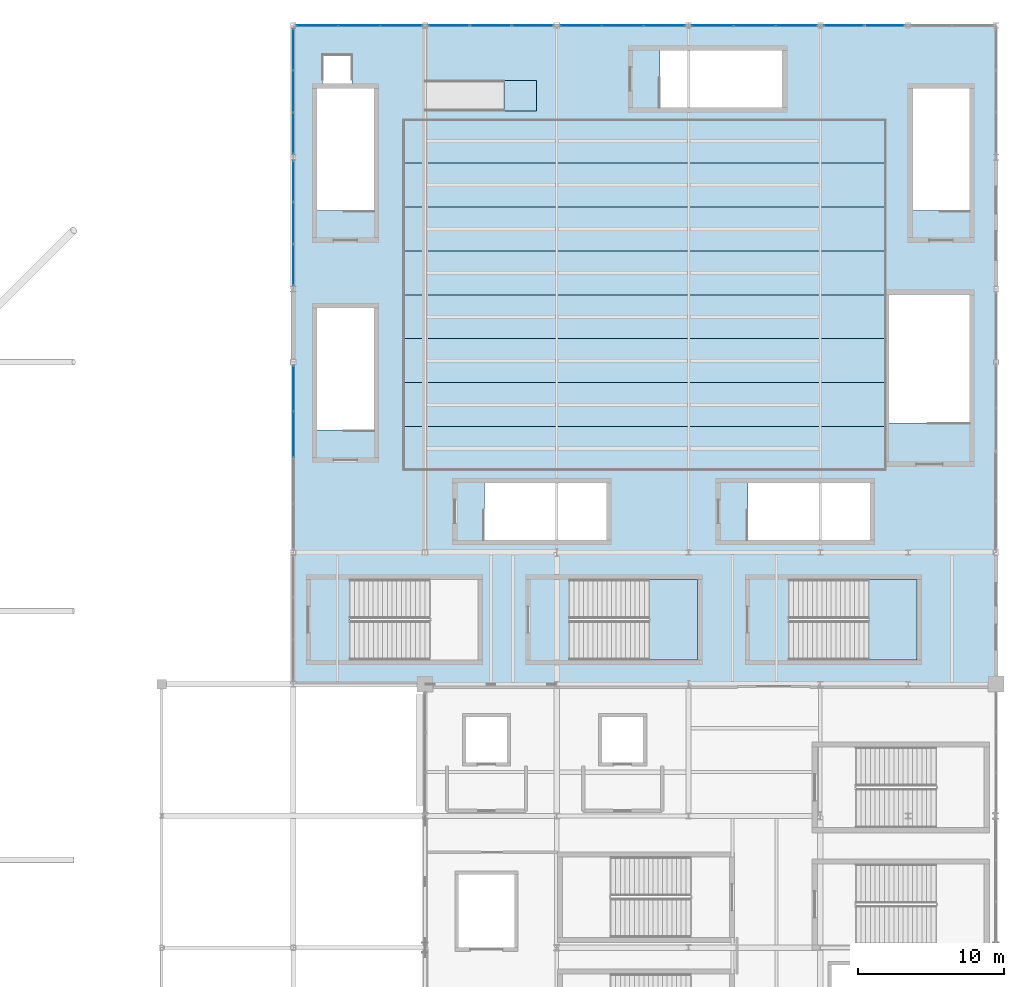
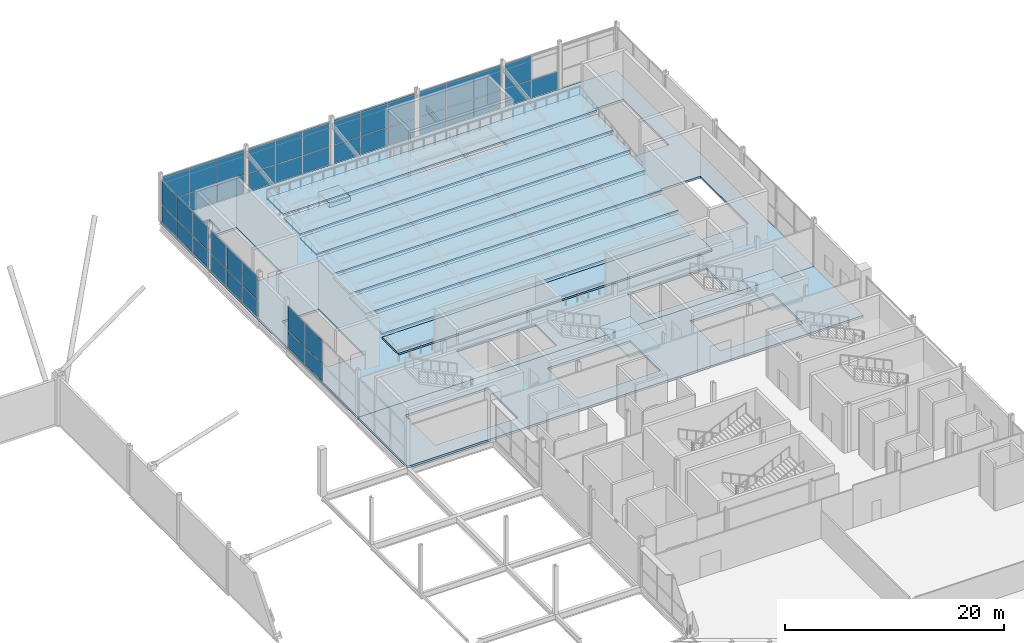
# One storey, part 80 of 119: 43 plates, 13 slabs, 11 elements without a shape of their own.
"""IFC4 building model written with IfcOpenShell, lengths in metres."""

from ifc_helpers import new_model, si_unit, direction, frame, origin, origin_2d, place, context, subcontext, project, spatial, polyline, rectangle, outline, extrude, material, layer, layer_set, type_object, element, aggregate, save


model = new_model("IFC4")

# Units and contexts
model_context = context("Model", 3, precision=1e-05, world=origin(), true_north=direction((0.0, 1.0)))
body_context = subcontext(model_context, "Body", "Model", "MODEL_VIEW")
ifc_project = project(units=[si_unit("LENGTHUNIT", "METRE"), si_unit("AREAUNIT", "SQUARE_METRE"), si_unit("VOLUMEUNIT", "CUBIC_METRE"), si_unit("PLANEANGLEUNIT", "RADIAN"), si_unit("MASSUNIT", "GRAM", prefix="KILO")], contexts=[model_context])

# Site, building, storey
site_placement = place(None, origin())
site = spatial("IfcSite", under=ifc_project, at=site_placement, CompositionType="ELEMENT")
building_placement = place(site_placement, origin())
building = spatial("IfcBuilding", under=site, at=building_placement, Name="Qamarlyn Nura Convention Centre", CompositionType="ELEMENT")
storey_placement = place(building_placement, frame((0.0, 0.0, 5.39990234375)))
storey = spatial("IfcBuildingStorey", under=building, at=storey_placement, Name="L01", CompositionType="ELEMENT", Elevation=5.39990234375)

# Curtain wall, plates
ifc_material_1 = material(Name="Double-silver low-E insulated glass", Category="glass")
ifc_layer_1 = layer(ifc_material_1, 0.179931640625, Name="CW-UNIT-85")
ifc_layer_set_1 = layer_set([ifc_layer_1], Name="Double-silver low-E insulated glass")
curtain_wall_type_1 = type_object("IfcCurtainWallType", Name="CW-UNIT-85", PredefinedType="NOTDEFINED", material=ifc_layer_set_1)
curtain_wall_1_placement = place(storey_placement, origin())
curtain_wall_1 = element("IfcCurtainWall", 1, at=curtain_wall_1_placement, inside=storey, type_object=curtain_wall_type_1, Name="L01 unitised curtain wall PLW-108-1", PredefinedType="NOTDEFINED")
ifc_layer_2 = layer(ifc_material_1, 0.028076171875, Name="CWP-VIS-28")
ifc_layer_set_2 = layer_set([ifc_layer_2], Name="Double-silver low-E insulated glass")
plate_type_1 = type_object("IfcPlateType", Name="CWP-VIS-28", PredefinedType="CURTAIN_PANEL", material=ifc_layer_set_2)
plate_1_placement = place(storey_placement, frame((144.0, 109.650146484375, 0.070068359375), z_axis=(0.0, 0.0, 1.0), x_axis=(0.0, 1.0, 0.0)))
plate_1 = element("IfcPlate", 2, at=plate_1_placement, type_object=plate_type_1, Name="CW85 panel 1.1", PredefinedType="CURTAIN_PANEL", context=body_context, shape_type="SweptSolid", body=[
    extrude(rectangle(XDim=2.767578125, YDim=0.028076171875, at=origin_2d()), origin(), (0.0, 0.0, 1.0), 1.83203125),
])
plate_2_placement = place(storey_placement, frame((144.0, 109.650146484375, 1.97216796875), z_axis=(0.0, 0.0, 1.0), x_axis=(0.0, 1.0, 0.0)))
plate_2 = element("IfcPlate", 3, at=plate_2_placement, type_object=plate_type_1, Name="CW85 panel 1.2", PredefinedType="CURTAIN_PANEL", context=body_context, shape_type="SweptSolid", body=[
    extrude(rectangle(XDim=2.767578125, YDim=0.028076171875, at=origin_2d()), origin(), (0.0, 0.0, 1.0), 2.570068359375),
])
plate_3_placement = place(storey_placement, frame((144.0, 112.50537109375, 0.070068359375), z_axis=(0.0, 0.0, 1.0), x_axis=(0.0, 1.0, 0.0)))
plate_3 = element("IfcPlate", 4, at=plate_3_placement, type_object=plate_type_1, Name="CW85 panel 2.1", PredefinedType="CURTAIN_PANEL", context=body_context, shape_type="SweptSolid", body=[
    extrude(rectangle(XDim=2.802490234375, YDim=0.028076171875, at=origin_2d()), origin(), (0.0, 0.0, 1.0), 1.83203125),
])
plate_4_placement = place(storey_placement, frame((144.0, 112.50537109375, 1.97216796875), z_axis=(0.0, 0.0, 1.0), x_axis=(0.0, 1.0, 0.0)))
plate_4 = element("IfcPlate", 5, at=plate_4_placement, type_object=plate_type_1, Name="CW85 panel 2.2", PredefinedType="CURTAIN_PANEL", context=body_context, shape_type="SweptSolid", body=[
    extrude(rectangle(XDim=2.802490234375, YDim=0.028076171875, at=origin_2d()), origin(), (0.0, 0.0, 1.0), 2.570068359375),
])
plate_5_placement = place(storey_placement, frame((144.0, 115.3603515625, 0.070068359375), z_axis=(0.0, 0.0, 1.0), x_axis=(0.0, 1.0, 0.0)))
plate_5 = element("IfcPlate", 6, at=plate_5_placement, type_object=plate_type_1, Name="CW85 panel 3.1", PredefinedType="CURTAIN_PANEL", context=body_context, shape_type="SweptSolid", body=[
    extrude(rectangle(XDim=2.767578125, YDim=0.028076171875, at=origin_2d()), origin(), (0.0, 0.0, 1.0), 1.83203125),
])
plate_6_placement = place(storey_placement, frame((144.0, 115.3603515625, 1.97216796875), z_axis=(0.0, 0.0, 1.0), x_axis=(0.0, 1.0, 0.0)))
plate_6 = element("IfcPlate", 7, at=plate_6_placement, type_object=plate_type_1, Name="CW85 panel 3.2", PredefinedType="CURTAIN_PANEL", context=body_context, shape_type="SweptSolid", body=[
    extrude(rectangle(XDim=2.767578125, YDim=0.028076171875, at=origin_2d()), origin(), (0.0, 0.0, 1.0), 2.570068359375),
])
aggregate(curtain_wall_1, [plate_1, plate_2, plate_3, plate_4, plate_5, plate_6])

ifc_layer_3 = layer(ifc_material_1, 0.179931640625, Name="CW-UNIT-86")
ifc_layer_set_3 = layer_set([ifc_layer_3], Name="Double-silver low-E insulated glass")
curtain_wall_type_2 = type_object("IfcCurtainWallType", Name="CW-UNIT-86", PredefinedType="NOTDEFINED", material=ifc_layer_set_3)
curtain_wall_2_placement = place(storey_placement, origin())
curtain_wall_2 = element("IfcCurtainWall", 8, at=curtain_wall_2_placement, inside=storey, type_object=curtain_wall_type_2, Name="L01 unitised curtain wall PLW-117-1", PredefinedType="NOTDEFINED")
plate_7_placement = place(storey_placement, frame((144.0, 118.64208984375, 0.065185546875), z_axis=(0.0, 0.0, 1.0), x_axis=(0.0, 1.0, 0.0)))
plate_7 = element("IfcPlate", 9, at=plate_7_placement, type_object=plate_type_1, Name="CW86 panel 1.1", PredefinedType="CURTAIN_PANEL", context=body_context, shape_type="SweptSolid", body=[
    extrude(rectangle(XDim=2.7822265625, YDim=0.028076171875, at=origin_2d()), origin(), (0.0, 0.0, 1.0), 1.87255859375),
])
plate_8_placement = place(storey_placement, frame((144.0, 118.64208984375, 2.002685546875), z_axis=(0.0, 0.0, 1.0), x_axis=(0.0, 1.0, 0.0)))
plate_8 = element("IfcPlate", 10, at=plate_8_placement, type_object=plate_type_1, Name="CW86 panel 1.2", PredefinedType="CURTAIN_PANEL", context=body_context, shape_type="SweptSolid", body=[
    extrude(rectangle(XDim=2.7822265625, YDim=0.028076171875, at=origin_2d()), origin(), (0.0, 0.0, 1.0), 2.62255859375),
])
plate_9_placement = place(storey_placement, frame((144.0, 121.505615234375, 0.065185546875), z_axis=(0.0, 0.0, 1.0), x_axis=(0.0, 1.0, 0.0)))
plate_9 = element("IfcPlate", 11, at=plate_9_placement, type_object=plate_type_1, Name="CW86 panel 2.1", PredefinedType="CURTAIN_PANEL", context=body_context, shape_type="SweptSolid", body=[
    extrude(rectangle(XDim=2.814697265625, YDim=0.028076171875, at=origin_2d()), origin(), (0.0, 0.0, 1.0), 1.87255859375),
])
plate_10_placement = place(storey_placement, frame((144.0, 121.505615234375, 2.002685546875), z_axis=(0.0, 0.0, 1.0), x_axis=(0.0, 1.0, 0.0)))
plate_10 = element("IfcPlate", 12, at=plate_10_placement, type_object=plate_type_1, Name="CW86 panel 2.2", PredefinedType="CURTAIN_PANEL", context=body_context, shape_type="SweptSolid", body=[
    extrude(rectangle(XDim=2.814697265625, YDim=0.028076171875, at=origin_2d()), origin(), (0.0, 0.0, 1.0), 2.62255859375),
])
plate_11_placement = place(storey_placement, frame((144.0, 124.368896484375, 0.065185546875), z_axis=(0.0, 0.0, 1.0), x_axis=(0.0, 1.0, 0.0)))
plate_11 = element("IfcPlate", 13, at=plate_11_placement, type_object=plate_type_1, Name="CW86 panel 3.1", PredefinedType="CURTAIN_PANEL", context=body_context, shape_type="SweptSolid", body=[
    extrude(rectangle(XDim=2.7822265625, YDim=0.028076171875, at=origin_2d()), origin(), (0.0, 0.0, 1.0), 1.87255859375),
])
plate_12_placement = place(storey_placement, frame((144.0, 124.368896484375, 2.002685546875), z_axis=(0.0, 0.0, 1.0), x_axis=(0.0, 1.0, 0.0)))
plate_12 = element("IfcPlate", 14, at=plate_12_placement, type_object=plate_type_1, Name="CW86 panel 3.2", PredefinedType="CURTAIN_PANEL", context=body_context, shape_type="SweptSolid", body=[
    extrude(rectangle(XDim=2.7822265625, YDim=0.028076171875, at=origin_2d()), origin(), (0.0, 0.0, 1.0), 2.62255859375),
])
aggregate(curtain_wall_2, [plate_7, plate_8, plate_9, plate_10, plate_11, plate_12])

ifc_layer_4 = layer(ifc_material_1, 0.179931640625, Name="CW-UNIT-87")
ifc_layer_set_4 = layer_set([ifc_layer_4], Name="Double-silver low-E insulated glass")
curtain_wall_type_3 = type_object("IfcCurtainWallType", Name="CW-UNIT-87", PredefinedType="NOTDEFINED", material=ifc_layer_set_4)
curtain_wall_3_placement = place(storey_placement, origin())
curtain_wall_3 = element("IfcCurtainWall", 15, at=curtain_wall_3_placement, inside=storey, type_object=curtain_wall_type_3, Name="L01 unitised curtain wall PLN-N1-1", PredefinedType="NOTDEFINED")
plate_13_placement = place(storey_placement, frame((145.631591796875, 126.0, 0.06005859375), z_axis=(0.0, 0.0, 1.0), x_axis=(1.0, 0.0, 0.0)))
plate_13 = element("IfcPlate", 16, at=plate_13_placement, type_object=plate_type_1, Name="CW87 panel 1.1", PredefinedType="CURTAIN_PANEL", context=body_context, shape_type="SweptSolid", body=[
    extrude(rectangle(XDim=2.793212890625, YDim=0.028076171875, at=origin_2d()), origin(), (0.0, 0.0, 1.0), 1.971923828125),
])
plate_14_placement = place(storey_placement, frame((145.631591796875, 126.0, 2.09228515625), z_axis=(0.0, 0.0, 1.0), x_axis=(1.0, 0.0, 0.0)))
plate_14 = element("IfcPlate", 17, at=plate_14_placement, type_object=plate_type_1, Name="CW87 panel 1.2", PredefinedType="CURTAIN_PANEL", context=body_context, shape_type="SweptSolid", body=[
    extrude(rectangle(XDim=2.793212890625, YDim=0.028076171875, at=origin_2d()), origin(), (0.0, 0.0, 1.0), 2.758056640625),
])
plate_15_placement = place(storey_placement, frame((148.5, 126.0, 0.06005859375), z_axis=(0.0, 0.0, 1.0), x_axis=(1.0, 0.0, 0.0)))
plate_15 = element("IfcPlate", 18, at=plate_15_placement, type_object=plate_type_1, Name="CW87 panel 2.1", PredefinedType="CURTAIN_PANEL", context=body_context, shape_type="SweptSolid", body=[
    extrude(rectangle(XDim=2.8232421875, YDim=0.028076171875, at=origin_2d()), origin(), (0.0, 0.0, 1.0), 1.971923828125),
])
plate_16_placement = place(storey_placement, frame((148.5, 126.0, 2.09228515625), z_axis=(0.0, 0.0, 1.0), x_axis=(1.0, 0.0, 0.0)))
plate_16 = element("IfcPlate", 19, at=plate_16_placement, type_object=plate_type_1, Name="CW87 panel 2.2", PredefinedType="CURTAIN_PANEL", context=body_context, shape_type="SweptSolid", body=[
    extrude(rectangle(XDim=2.8232421875, YDim=0.028076171875, at=origin_2d()), origin(), (0.0, 0.0, 1.0), 2.758056640625),
])
plate_17_placement = place(storey_placement, frame((151.368408203125, 126.0, 0.06005859375), z_axis=(0.0, 0.0, 1.0), x_axis=(1.0, 0.0, 0.0)))
plate_17 = element("IfcPlate", 20, at=plate_17_placement, type_object=plate_type_1, Name="CW87 panel 3.1", PredefinedType="CURTAIN_PANEL", context=body_context, shape_type="SweptSolid", body=[
    extrude(rectangle(XDim=2.793212890625, YDim=0.028076171875, at=origin_2d()), origin(), (0.0, 0.0, 1.0), 1.971923828125),
])
plate_18_placement = place(storey_placement, frame((151.368408203125, 126.0, 2.09228515625), z_axis=(0.0, 0.0, 1.0), x_axis=(1.0, 0.0, 0.0)))
plate_18 = element("IfcPlate", 21, at=plate_18_placement, type_object=plate_type_1, Name="CW87 panel 3.2", PredefinedType="CURTAIN_PANEL", context=body_context, shape_type="SweptSolid", body=[
    extrude(rectangle(XDim=2.793212890625, YDim=0.028076171875, at=origin_2d()), origin(), (0.0, 0.0, 1.0), 2.758056640625),
])
aggregate(curtain_wall_3, [plate_13, plate_14, plate_15, plate_16, plate_17, plate_18])

ifc_layer_5 = layer(ifc_material_1, 0.179931640625, Name="CW-UNIT-88")
ifc_layer_set_5 = layer_set([ifc_layer_5], Name="Double-silver low-E insulated glass")
curtain_wall_type_4 = type_object("IfcCurtainWallType", Name="CW-UNIT-88", PredefinedType="NOTDEFINED", material=ifc_layer_set_5)
curtain_wall_4_placement = place(storey_placement, origin())
curtain_wall_4 = element("IfcCurtainWall", 22, at=curtain_wall_4_placement, inside=storey, type_object=curtain_wall_type_4, Name="L01 unitised curtain wall PLN-N3-1", PredefinedType="NOTDEFINED")
plate_19_placement = place(storey_placement, frame((163.649658203125, 126.0, 0.06494140625), z_axis=(0.0, 0.0, 1.0), x_axis=(1.0, 0.0, 0.0)))
plate_19 = element("IfcPlate", 23, at=plate_19_placement, type_object=plate_type_1, Name="CW88 panel 1.1", PredefinedType="CURTAIN_PANEL", context=body_context, shape_type="SweptSolid", body=[
    extrude(rectangle(XDim=2.769287109375, YDim=0.028076171875, at=origin_2d()), origin(), (0.0, 0.0, 1.0), 1.964599609375),
])
plate_20_placement = place(storey_placement, frame((163.649658203125, 126.0, 2.094482421875), z_axis=(0.0, 0.0, 1.0), x_axis=(1.0, 0.0, 0.0)))
plate_20 = element("IfcPlate", 24, at=plate_20_placement, type_object=plate_type_1, Name="CW88 panel 1.2", PredefinedType="CURTAIN_PANEL", context=body_context, shape_type="SweptSolid", body=[
    extrude(rectangle(XDim=2.769287109375, YDim=0.028076171875, at=origin_2d()), origin(), (0.0, 0.0, 1.0), 2.75048828125),
])
plate_21_placement = place(storey_placement, frame((166.500244140625, 126.0, 0.06494140625), z_axis=(0.0, 0.0, 1.0), x_axis=(1.0, 0.0, 0.0)))
plate_21 = element("IfcPlate", 25, at=plate_21_placement, type_object=plate_type_1, Name="CW88 panel 2.1", PredefinedType="CURTAIN_PANEL", context=body_context, shape_type="SweptSolid", body=[
    extrude(rectangle(XDim=2.8017578125, YDim=0.028076171875, at=origin_2d()), origin(), (0.0, 0.0, 1.0), 1.964599609375),
])
plate_22_placement = place(storey_placement, frame((166.500244140625, 126.0, 2.094482421875), z_axis=(0.0, 0.0, 1.0), x_axis=(1.0, 0.0, 0.0)))
plate_22 = element("IfcPlate", 26, at=plate_22_placement, type_object=plate_type_1, Name="CW88 panel 2.2", PredefinedType="CURTAIN_PANEL", context=body_context, shape_type="SweptSolid", body=[
    extrude(rectangle(XDim=2.8017578125, YDim=0.028076171875, at=origin_2d()), origin(), (0.0, 0.0, 1.0), 2.75048828125),
])
plate_23_placement = place(storey_placement, frame((169.350830078125, 126.0, 0.06494140625), z_axis=(0.0, 0.0, 1.0), x_axis=(1.0, 0.0, 0.0)))
plate_23 = element("IfcPlate", 27, at=plate_23_placement, type_object=plate_type_1, Name="CW88 panel 3.1", PredefinedType="CURTAIN_PANEL", context=body_context, shape_type="SweptSolid", body=[
    extrude(rectangle(XDim=2.769287109375, YDim=0.028076171875, at=origin_2d()), origin(), (0.0, 0.0, 1.0), 1.964599609375),
])
plate_24_placement = place(storey_placement, frame((169.350830078125, 126.0, 2.094482421875), z_axis=(0.0, 0.0, 1.0), x_axis=(1.0, 0.0, 0.0)))
plate_24 = element("IfcPlate", 28, at=plate_24_placement, type_object=plate_type_1, Name="CW88 panel 3.2", PredefinedType="CURTAIN_PANEL", context=body_context, shape_type="SweptSolid", body=[
    extrude(rectangle(XDim=2.769287109375, YDim=0.028076171875, at=origin_2d()), origin(), (0.0, 0.0, 1.0), 2.75048828125),
])
aggregate(curtain_wall_4, [plate_19, plate_20, plate_21, plate_22, plate_23, plate_24])

ifc_layer_6 = layer(ifc_material_1, 0.179931640625, Name="CW-UNIT-89")
ifc_layer_set_6 = layer_set([ifc_layer_6], Name="Double-silver low-E insulated glass")
curtain_wall_type_5 = type_object("IfcCurtainWallType", Name="CW-UNIT-89", PredefinedType="NOTDEFINED", material=ifc_layer_set_6)
curtain_wall_5_placement = place(storey_placement, origin())
curtain_wall_5 = element("IfcCurtainWall", 29, at=curtain_wall_5_placement, inside=storey, type_object=curtain_wall_type_5, Name="L01 unitised curtain wall PLN-N4-1", PredefinedType="NOTDEFINED")
plate_25_placement = place(storey_placement, frame((172.650146484375, 126.0, 0.06005859375), z_axis=(0.0, 0.0, 1.0), x_axis=(1.0, 0.0, 0.0)))
plate_25 = element("IfcPlate", 30, at=plate_25_placement, type_object=plate_type_1, Name="CW89 panel 1.1", PredefinedType="CURTAIN_PANEL", context=body_context, shape_type="SweptSolid", body=[
    extrude(rectangle(XDim=2.78125, YDim=0.028076171875, at=origin_2d()), origin(), (0.0, 0.0, 1.0), 1.971923828125),
])
plate_26_placement = place(storey_placement, frame((172.650146484375, 126.0, 2.09228515625), z_axis=(0.0, 0.0, 1.0), x_axis=(1.0, 0.0, 0.0)))
plate_26 = element("IfcPlate", 31, at=plate_26_placement, type_object=plate_type_1, Name="CW89 panel 1.2", PredefinedType="CURTAIN_PANEL", context=body_context, shape_type="SweptSolid", body=[
    extrude(rectangle(XDim=2.78125, YDim=0.028076171875, at=origin_2d()), origin(), (0.0, 0.0, 1.0), 2.758056640625),
])
plate_27_placement = place(storey_placement, frame((175.50634765625, 126.0, 0.06005859375), z_axis=(0.0, 0.0, 1.0), x_axis=(1.0, 0.0, 0.0)))
plate_27 = element("IfcPlate", 32, at=plate_27_placement, type_object=plate_type_1, Name="CW89 panel 2.1", PredefinedType="CURTAIN_PANEL", context=body_context, shape_type="SweptSolid", body=[
    extrude(rectangle(XDim=2.811279296875, YDim=0.028076171875, at=origin_2d()), origin(), (0.0, 0.0, 1.0), 1.971923828125),
])
plate_28_placement = place(storey_placement, frame((175.50634765625, 126.0, 2.09228515625), z_axis=(0.0, 0.0, 1.0), x_axis=(1.0, 0.0, 0.0)))
plate_28 = element("IfcPlate", 33, at=plate_28_placement, type_object=plate_type_1, Name="CW89 panel 2.2", PredefinedType="CURTAIN_PANEL", context=body_context, shape_type="SweptSolid", body=[
    extrude(rectangle(XDim=2.811279296875, YDim=0.028076171875, at=origin_2d()), origin(), (0.0, 0.0, 1.0), 2.758056640625),
])
plate_29_placement = place(storey_placement, frame((178.3623046875, 126.0, 0.06005859375), z_axis=(0.0, 0.0, 1.0), x_axis=(1.0, 0.0, 0.0)))
plate_29 = element("IfcPlate", 34, at=plate_29_placement, type_object=plate_type_1, Name="CW89 panel 3.1", PredefinedType="CURTAIN_PANEL", context=body_context, shape_type="SweptSolid", body=[
    extrude(rectangle(XDim=2.78125, YDim=0.028076171875, at=origin_2d()), origin(), (0.0, 0.0, 1.0), 1.971923828125),
])
plate_30_placement = place(storey_placement, frame((178.3623046875, 126.0, 2.09228515625), z_axis=(0.0, 0.0, 1.0), x_axis=(1.0, 0.0, 0.0)))
plate_30 = element("IfcPlate", 35, at=plate_30_placement, type_object=plate_type_1, Name="CW89 panel 3.2", PredefinedType="CURTAIN_PANEL", context=body_context, shape_type="SweptSolid", body=[
    extrude(rectangle(XDim=2.78125, YDim=0.028076171875, at=origin_2d()), origin(), (0.0, 0.0, 1.0), 2.758056640625),
])
aggregate(curtain_wall_5, [plate_25, plate_26, plate_27, plate_28, plate_29, plate_30])

ifc_layer_7 = layer(ifc_material_1, 0.179931640625, Name="CW-UNIT-90")
ifc_layer_set_7 = layer_set([ifc_layer_7], Name="Double-silver low-E insulated glass")
curtain_wall_type_6 = type_object("IfcCurtainWallType", Name="CW-UNIT-90", PredefinedType="NOTDEFINED", material=ifc_layer_set_7)
curtain_wall_6_placement = place(storey_placement, origin())
curtain_wall_6 = element("IfcCurtainWall", 36, at=curtain_wall_6_placement, inside=storey, type_object=curtain_wall_type_6, Name="L01 unitised curtain wall PLN-N5-1", PredefinedType="NOTDEFINED")
plate_31_placement = place(storey_placement, frame((181.614013671875, 126.0, 0.0703125), z_axis=(0.0, 0.0, 1.0), x_axis=(1.0, 0.0, 0.0)))
plate_31 = element("IfcPlate", 37, at=plate_31_placement, type_object=plate_type_1, Name="CW90 panel 1.1", PredefinedType="CURTAIN_PANEL", context=body_context, shape_type="SweptSolid", body=[
    extrude(rectangle(XDim=2.714111328125, YDim=0.028076171875, at=origin_2d()), origin(), (0.0, 0.0, 1.0), 1.929931640625),
])
plate_32_placement = place(storey_placement, frame((181.614013671875, 126.0, 2.070068359375), z_axis=(0.0, 0.0, 1.0), x_axis=(1.0, 0.0, 0.0)))
plate_32 = element("IfcPlate", 38, at=plate_32_placement, type_object=plate_type_1, Name="CW90 panel 1.2", PredefinedType="CURTAIN_PANEL", context=body_context, shape_type="SweptSolid", body=[
    extrude(rectangle(XDim=2.714111328125, YDim=0.028076171875, at=origin_2d()), origin(), (0.0, 0.0, 1.0), 2.7060546875),
])
plate_33_placement = place(storey_placement, frame((184.39794921875, 126.0, 0.0703125), z_axis=(0.0, 0.0, 1.0), x_axis=(1.0, 0.0, 0.0)))
plate_33 = element("IfcPlate", 39, at=plate_33_placement, type_object=plate_type_1, Name="CW90 panel 2.1", PredefinedType="CURTAIN_PANEL", context=body_context, shape_type="SweptSolid", body=[
    extrude(rectangle(XDim=2.714111328125, YDim=0.028076171875, at=origin_2d()), origin(), (0.0, 0.0, 1.0), 1.929931640625),
])
aggregate(curtain_wall_6, [plate_31, plate_32, plate_33])

ifc_layer_8 = layer(ifc_material_1, 0.179931640625, Name="CW-UNIT-84")
ifc_layer_set_8 = layer_set([ifc_layer_8], Name="Double-silver low-E insulated glass")
curtain_wall_type_7 = type_object("IfcCurtainWallType", Name="CW-UNIT-84", PredefinedType="NOTDEFINED", material=ifc_layer_set_8)
curtain_wall_7_placement = place(storey_placement, origin())
curtain_wall_7 = element("IfcCurtainWall", 40, at=curtain_wall_7_placement, inside=storey, type_object=curtain_wall_type_7, Name="L01 unitised curtain wall PLW-90-1", PredefinedType="NOTDEFINED")
ifc_layer_9 = layer(ifc_material_1, 0.031982421875, Name="CWP-VIS-32")
ifc_layer_set_9 = layer_set([ifc_layer_9], Name="Double-silver low-E insulated glass")
plate_type_2 = type_object("IfcPlateType", Name="CWP-VIS-32", PredefinedType="CURTAIN_PANEL", material=ifc_layer_set_9)
plate_34_placement = place(storey_placement, frame((144.0, 98.065673828125, 0.06005859375), z_axis=(0.0, 0.0, 1.0), x_axis=(0.0, 1.0, 0.0)))
plate_34 = element("IfcPlate", 41, at=plate_34_placement, type_object=plate_type_2, Name="CW84 panel 3.1", PredefinedType="CURTAIN_PANEL", context=body_context, shape_type="SweptSolid", body=[
    extrude(rectangle(XDim=3.09619140625, YDim=0.031982421875, at=origin_2d()), origin(), (0.0, 0.0, 1.0), 1.884033203125),
])
plate_35_placement = place(storey_placement, frame((144.0, 98.065673828125, 2.00390625), z_axis=(0.0, 0.0, 1.0), x_axis=(0.0, 1.0, 0.0)))
plate_35 = element("IfcPlate", 42, at=plate_35_placement, type_object=plate_type_2, Name="CW84 panel 3.2", PredefinedType="CURTAIN_PANEL", context=body_context, shape_type="SweptSolid", body=[
    extrude(rectangle(XDim=3.09619140625, YDim=0.031982421875, at=origin_2d()), origin(), (0.0, 0.0, 1.0), 2.636962890625),
])
plate_36_placement = place(storey_placement, frame((144.0, 101.206787109375, 0.06005859375), z_axis=(0.0, 0.0, 1.0), x_axis=(0.0, 1.0, 0.0)))
plate_36 = element("IfcPlate", 43, at=plate_36_placement, type_object=plate_type_2, Name="CW84 panel 4.1", PredefinedType="CURTAIN_PANEL", context=body_context, shape_type="SweptSolid", body=[
    extrude(rectangle(XDim=3.066162109375, YDim=0.031982421875, at=origin_2d()), origin(), (0.0, 0.0, 1.0), 1.884033203125),
])
plate_37_placement = place(storey_placement, frame((144.0, 101.206787109375, 2.00390625), z_axis=(0.0, 0.0, 1.0), x_axis=(0.0, 1.0, 0.0)))
plate_37 = element("IfcPlate", 44, at=plate_37_placement, type_object=plate_type_2, Name="CW84 panel 4.2", PredefinedType="CURTAIN_PANEL", context=body_context, shape_type="SweptSolid", body=[
    extrude(rectangle(XDim=3.066162109375, YDim=0.031982421875, at=origin_2d()), origin(), (0.0, 0.0, 1.0), 2.636962890625),
])
aggregate(curtain_wall_7, [plate_34, plate_35, plate_36, plate_37])

ifc_layer_10 = layer(ifc_material_1, 0.179931640625, Name="CW-UNIT-75")
ifc_layer_set_10 = layer_set([ifc_layer_10], Name="Double-silver low-E insulated glass")
curtain_wall_type_8 = type_object("IfcCurtainWallType", Name="CW-UNIT-75", PredefinedType="NOTDEFINED", material=ifc_layer_set_10)
curtain_wall_8_placement = place(storey_placement, origin())
curtain_wall_8 = element("IfcCurtainWall", 45, at=curtain_wall_8_placement, inside=storey, type_object=curtain_wall_type_8, Name="L01 unitised curtain wall PLN-N2-1", PredefinedType="NOTDEFINED")
plate_38_placement = place(storey_placement, frame((154.6298828125, 126.0, 0.0703125), z_axis=(0.0, 0.0, 1.0), x_axis=(1.0, 0.0, 0.0)))
plate_38 = element("IfcPlate", 46, at=plate_38_placement, type_object=plate_type_2, Name="CW75 panel 1.1", PredefinedType="CURTAIN_PANEL", context=body_context, shape_type="SweptSolid", body=[
    extrude(rectangle(XDim=2.77001953125, YDim=0.031982421875, at=origin_2d()), origin(), (0.0, 0.0, 1.0), 1.929931640625),
])
plate_39_placement = place(storey_placement, frame((154.6298828125, 126.0, 2.070068359375), z_axis=(0.0, 0.0, 1.0), x_axis=(1.0, 0.0, 0.0)))
plate_39 = element("IfcPlate", 47, at=plate_39_placement, type_object=plate_type_2, Name="CW75 panel 1.2", PredefinedType="CURTAIN_PANEL", context=body_context, shape_type="SweptSolid", body=[
    extrude(rectangle(XDim=2.77001953125, YDim=0.031982421875, at=origin_2d()), origin(), (0.0, 0.0, 1.0), 2.7060546875),
])
plate_40_placement = place(storey_placement, frame((157.487548828125, 126.0, 0.0703125), z_axis=(0.0, 0.0, 1.0), x_axis=(1.0, 0.0, 0.0)))
plate_40 = element("IfcPlate", 48, at=plate_40_placement, type_object=plate_type_2, Name="CW75 panel 2.1", PredefinedType="CURTAIN_PANEL", context=body_context, shape_type="SweptSolid", body=[
    extrude(rectangle(XDim=2.804931640625, YDim=0.031982421875, at=origin_2d()), origin(), (0.0, 0.0, 1.0), 1.929931640625),
])
plate_41_placement = place(storey_placement, frame((157.487548828125, 126.0, 2.070068359375), z_axis=(0.0, 0.0, 1.0), x_axis=(1.0, 0.0, 0.0)))
plate_41 = element("IfcPlate", 49, at=plate_41_placement, type_object=plate_type_2, Name="CW75 panel 2.2", PredefinedType="CURTAIN_PANEL", context=body_context, shape_type="SweptSolid", body=[
    extrude(rectangle(XDim=2.804931640625, YDim=0.031982421875, at=origin_2d()), origin(), (0.0, 0.0, 1.0), 2.7060546875),
])
plate_42_placement = place(storey_placement, frame((160.344970703125, 126.0, 0.0703125), z_axis=(0.0, 0.0, 1.0), x_axis=(1.0, 0.0, 0.0)))
plate_42 = element("IfcPlate", 50, at=plate_42_placement, type_object=plate_type_2, Name="CW75 panel 3.1", PredefinedType="CURTAIN_PANEL", context=body_context, shape_type="SweptSolid", body=[
    extrude(rectangle(XDim=2.77001953125, YDim=0.031982421875, at=origin_2d()), origin(), (0.0, 0.0, 1.0), 1.929931640625),
])
plate_43_placement = place(storey_placement, frame((160.344970703125, 126.0, 2.070068359375), z_axis=(0.0, 0.0, 1.0), x_axis=(1.0, 0.0, 0.0)))
plate_43 = element("IfcPlate", 51, at=plate_43_placement, type_object=plate_type_2, Name="CW75 panel 3.2", PredefinedType="CURTAIN_PANEL", context=body_context, shape_type="SweptSolid", body=[
    extrude(rectangle(XDim=2.77001953125, YDim=0.031982421875, at=origin_2d()), origin(), (0.0, 0.0, 1.0), 2.7060546875),
])
aggregate(curtain_wall_8, [plate_38, plate_39, plate_40, plate_41, plate_42, plate_43])

# Slabs
ifc_material_2 = material(Name="Concrete C40/50", Category="concrete")
ifc_layer_11 = layer(ifc_material_2, 0.239990234375, Name="SL-L01-PL")
ifc_layer_set_11 = layer_set([ifc_layer_11], Name="Concrete C40/50")
slab_type_1 = type_object("IfcSlabType", Name="SL-L01-PL", PredefinedType="FLOOR", material=ifc_layer_set_11)
slab_1_placement = place(storey_placement, frame((0.0, 0.0, -0.239990234375)))
element("IfcSlab", 52, at=slab_1_placement, inside=storey, type_object=slab_type_1, Name="L01 floor slab L01-PL1", PredefinedType="FLOOR", context=body_context, shape_type="SweptSolid", body=[
    extrude(outline(polyline([(144.0, 81.0), (144.0, 90.0), (192.0, 90.0), (192.0, 81.0), (144.0, 81.0)]), holes=[polyline([(147.860107421875, 82.64990234375), (156.60009765625, 82.64990234375), (156.60009765625, 88.14990234375), (147.860107421875, 88.14990234375), (147.860107421875, 82.64990234375)]), polyline([(162.860107421875, 88.14990234375), (162.860107421875, 82.64990234375), (171.60009765625, 82.64990234375), (171.60009765625, 88.14990234375), (162.860107421875, 88.14990234375)]), polyline([(177.860107421875, 82.64990234375), (186.60009765625, 82.64990234375), (186.60009765625, 88.14990234375), (177.860107421875, 88.14990234375), (177.860107421875, 82.64990234375)])]), origin(), (0.0, 0.0, 1.0), 0.239990234375),
])
slab_2_placement = place(storey_placement, frame((0.0, 0.0, -0.239990234375)))
element("IfcSlab", 53, at=slab_2_placement, inside=storey, type_object=slab_type_1, Name="L01 floor slab L01-PL2", PredefinedType="FLOOR", context=body_context, shape_type="SweptSolid", body=[
    extrude(outline(polyline([(144.0, 126.0), (192.0, 126.0), (192.0, 90.0), (144.0, 90.0), (144.0, 126.0)]), holes=[polyline([(146.0, 124.0), (146.0, 122.0), (148.0, 122.0), (148.0, 124.0), (146.0, 124.0)]), polyline([(157.050048828125, 90.85009765625), (165.39990234375, 90.85009765625), (165.39990234375, 94.72998046875), (157.050048828125, 94.72998046875), (157.050048828125, 90.85009765625)]), polyline([(145.6201171875, 98.35009765625), (149.5, 98.35009765625), (149.5, 106.699951171875), (145.6201171875, 106.699951171875), (145.6201171875, 98.35009765625)]), polyline([(145.6201171875, 113.35009765625), (149.5, 113.35009765625), (149.5, 121.699951171875), (145.6201171875, 121.699951171875), (145.6201171875, 113.35009765625)]), polyline([(175.050048828125, 90.85009765625), (183.39990234375, 90.85009765625), (183.39990234375, 94.72998046875), (175.050048828125, 94.72998046875), (175.050048828125, 90.85009765625)]), polyline([(190.199951171875, 98.860107421875), (190.199951171875, 107.60009765625), (184.699951171875, 107.60009765625), (184.699951171875, 98.860107421875), (190.199951171875, 98.860107421875)]), polyline([(186.320068359375, 113.35009765625), (190.199951171875, 113.35009765625), (190.199951171875, 121.699951171875), (186.320068359375, 121.699951171875), (186.320068359375, 113.35009765625)]), polyline([(169.050048828125, 124.280029296875), (169.050048828125, 120.39990234375), (177.39990234375, 120.39990234375), (177.39990234375, 124.280029296875), (169.050048828125, 124.280029296875)])]), origin(), (0.0, 0.0, 1.0), 0.239990234375),
])

# Stair, slab
stair_type = type_object("IfcStairType", Name="STAIR-EXIT-54", PredefinedType="HALF_TURN_STAIR", material=ifc_material_2)
stair_1_placement = place(storey_placement, origin())
stair_1 = element("IfcStair", 54, at=stair_1_placement, inside=storey, type_object=stair_type, Name="L01 Enclosed exit stair ST-16", PredefinedType="HALF_TURN_STAIR")
ifc_layer_12 = layer(ifc_material_2, 0.199951171875, Name="SL-LAND-200")
ifc_layer_set_12 = layer_set([ifc_layer_12], Name="Concrete C40/50")
slab_type_2 = type_object("IfcSlabType", Name="SL-LAND-200", PredefinedType="LANDING", material=ifc_layer_set_12)
slab_3_placement = place(storey_placement, frame((0.0, 0.0, 2.5)))
slab_3 = element("IfcSlab", 55, at=slab_3_placement, type_object=slab_type_2, Name="ST-16 landing 1", PredefinedType="LANDING", context=body_context, shape_type="SweptSolid", body=[
    extrude(outline(polyline([(168.300048828125, 82.64990234375), (171.60009765625, 82.64990234375), (171.60009765625, 88.14990234375), (168.300048828125, 88.14990234375), (168.300048828125, 82.64990234375)])), origin(), (0.0, 0.0, 1.0), 0.2001953125),
])
aggregate(stair_1, [slab_3])

stair_2_placement = place(storey_placement, origin())
stair_2 = element("IfcStair", 56, at=stair_2_placement, inside=storey, type_object=stair_type, Name="L01 Enclosed exit stair ST-17", PredefinedType="HALF_TURN_STAIR")
slab_4_placement = place(storey_placement, frame((0.0, 0.0, 2.5)))
slab_4 = element("IfcSlab", 57, at=slab_4_placement, type_object=slab_type_2, Name="ST-17 landing 1", PredefinedType="LANDING", context=body_context, shape_type="SweptSolid", body=[
    extrude(outline(polyline([(183.300048828125, 82.64990234375), (186.60009765625, 82.64990234375), (186.60009765625, 88.14990234375), (183.300048828125, 88.14990234375), (183.300048828125, 82.64990234375)])), origin(), (0.0, 0.0, 1.0), 0.2001953125),
])
aggregate(stair_2, [slab_4])

# Ramp, slab
ramp_type = type_object("IfcRampType", Name="RAMP-PED-210", PredefinedType="STRAIGHT_RUN_RAMP", material=ifc_material_2)
ramp_placement = place(storey_placement, origin())
ramp = element("IfcRamp", 58, at=ramp_placement, inside=storey, type_object=ramp_type, Name="Plenary stage accessible ramp PR-05", PredefinedType="STRAIGHT_RUN_RAMP")
slab_5_placement = place(storey_placement, origin())
slab_5 = element("IfcSlab", 59, at=slab_5_placement, type_object=slab_type_2, Name="Plenary stage accessible ramp PR-05 landing 1", PredefinedType="LANDING", context=body_context, shape_type="SweptSolid", body=[
    extrude(outline(polyline([(158.39990234375, 120.14990234375), (160.60009765625, 120.14990234375), (160.60009765625, 122.25), (158.39990234375, 122.25), (158.39990234375, 120.14990234375)])), origin(), (0.0, 0.0, 1.0), 0.4501953125),
])
aggregate(ramp, [slab_5])

# Slabs
ifc_layer_13 = layer(ifc_material_2, 0.18994140625, Name="SL-TIER")
ifc_layer_set_13 = layer_set([ifc_layer_13], Name="Concrete C40/50")
slab_type_3 = type_object("IfcSlabType", Name="SL-TIER", PredefinedType="USERDEFINED", material=ifc_layer_set_13)
slab_6_placement = place(storey_placement, frame((0.0, 0.0, 0.906982421875)))
element("IfcSlab", 60, at=slab_6_placement, inside=storey, type_object=slab_type_3, Name="Stand Plenary lower tier row 1", ObjectType="SEATING TIER", PredefinedType="USERDEFINED", context=body_context, shape_type="SweptSolid", body=[
    extrude(outline(polyline([(151.5, 95.60009765625), (184.5, 95.60009765625), (184.5, 98.60009765625), (151.5, 98.60009765625), (151.5, 95.60009765625)])), origin(), (0.0, 0.0, 1.0), 0.18994140625),
])
slab_7_placement = place(storey_placement, frame((0.0, 0.0, 1.302734375)))
element("IfcSlab", 61, at=slab_7_placement, inside=storey, type_object=slab_type_3, Name="Stand Plenary lower tier row 2", ObjectType="SEATING TIER", PredefinedType="USERDEFINED", context=body_context, shape_type="SweptSolid", body=[
    extrude(outline(polyline([(151.5, 98.60009765625), (184.5, 98.60009765625), (184.5, 101.60009765625), (151.5, 101.60009765625), (151.5, 98.60009765625)])), origin(), (0.0, 0.0, 1.0), 0.18994140625),
])
slab_8_placement = place(storey_placement, frame((0.0, 0.0, 1.698486328125)))
element("IfcSlab", 62, at=slab_8_placement, inside=storey, type_object=slab_type_3, Name="Stand Plenary lower tier row 3", ObjectType="SEATING TIER", PredefinedType="USERDEFINED", context=body_context, shape_type="SweptSolid", body=[
    extrude(outline(polyline([(151.5, 101.60009765625), (184.5, 101.60009765625), (184.5, 104.60009765625), (151.5, 104.60009765625), (151.5, 101.60009765625)])), origin(), (0.0, 0.0, 1.0), 0.190185546875),
])
slab_9_placement = place(storey_placement, frame((0.0, 0.0, 2.094482421875)))
element("IfcSlab", 63, at=slab_9_placement, inside=storey, type_object=slab_type_3, Name="Stand Plenary lower tier row 4", ObjectType="SEATING TIER", PredefinedType="USERDEFINED", context=body_context, shape_type="SweptSolid", body=[
    extrude(outline(polyline([(151.5, 104.60009765625), (184.5, 104.60009765625), (184.5, 107.60009765625), (151.5, 107.60009765625), (151.5, 104.60009765625)])), origin(), (0.0, 0.0, 1.0), 0.18994140625),
])
slab_10_placement = place(storey_placement, frame((0.0, 0.0, 2.490234375)))
element("IfcSlab", 64, at=slab_10_placement, inside=storey, type_object=slab_type_3, Name="Stand Plenary lower tier row 5", ObjectType="SEATING TIER", PredefinedType="USERDEFINED", context=body_context, shape_type="SweptSolid", body=[
    extrude(outline(polyline([(151.5, 107.60009765625), (184.5, 107.60009765625), (184.5, 110.60009765625), (151.5, 110.60009765625), (151.5, 107.60009765625)])), origin(), (0.0, 0.0, 1.0), 0.18994140625),
])
slab_11_placement = place(storey_placement, frame((0.0, 0.0, 2.885986328125)))
element("IfcSlab", 65, at=slab_11_placement, inside=storey, type_object=slab_type_3, Name="Stand Plenary lower tier row 6", ObjectType="SEATING TIER", PredefinedType="USERDEFINED", context=body_context, shape_type="SweptSolid", body=[
    extrude(outline(polyline([(151.5, 110.60009765625), (184.5, 110.60009765625), (184.5, 113.60009765625), (151.5, 113.60009765625), (151.5, 110.60009765625)])), origin(), (0.0, 0.0, 1.0), 0.190185546875),
])
slab_12_placement = place(storey_placement, frame((0.0, 0.0, 3.281982421875)))
element("IfcSlab", 66, at=slab_12_placement, inside=storey, type_object=slab_type_3, Name="Stand Plenary lower tier row 7", ObjectType="SEATING TIER", PredefinedType="USERDEFINED", context=body_context, shape_type="SweptSolid", body=[
    extrude(outline(polyline([(151.5, 113.60009765625), (184.5, 113.60009765625), (184.5, 116.60009765625), (151.5, 116.60009765625), (151.5, 113.60009765625)])), origin(), (0.0, 0.0, 1.0), 0.18994140625),
])
slab_13_placement = place(storey_placement, frame((0.0, 0.0, 3.677734375)))
element("IfcSlab", 67, at=slab_13_placement, inside=storey, type_object=slab_type_3, Name="Stand Plenary lower tier row 8", ObjectType="SEATING TIER", PredefinedType="USERDEFINED", context=body_context, shape_type="SweptSolid", body=[
    extrude(outline(polyline([(151.5, 116.60009765625), (184.5, 116.60009765625), (184.5, 119.60009765625), (151.5, 119.60009765625), (151.5, 116.60009765625)])), origin(), (0.0, 0.0, 1.0), 0.18994140625),
])

save(model, "model.ifc")
